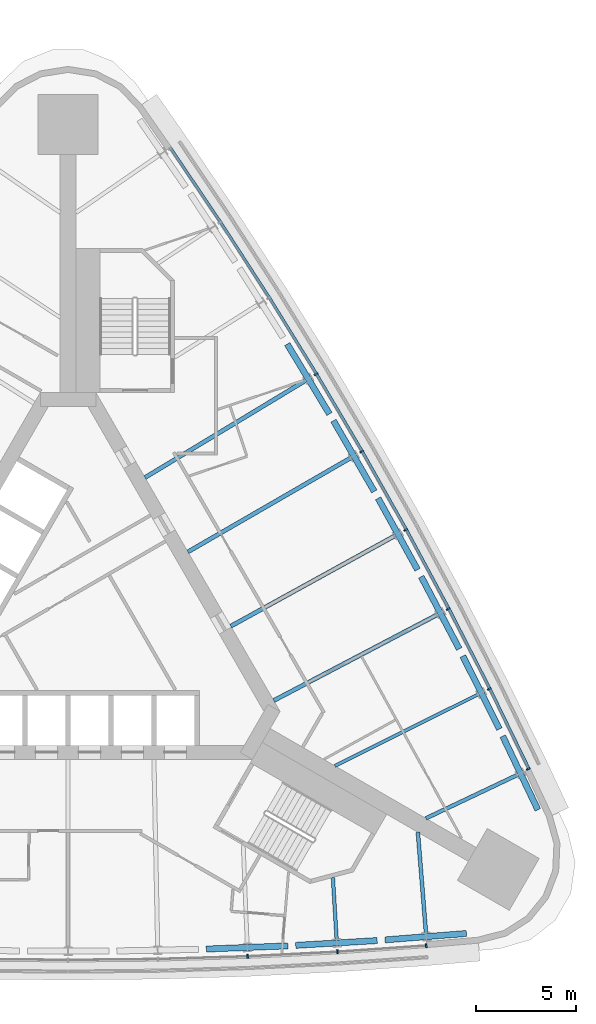
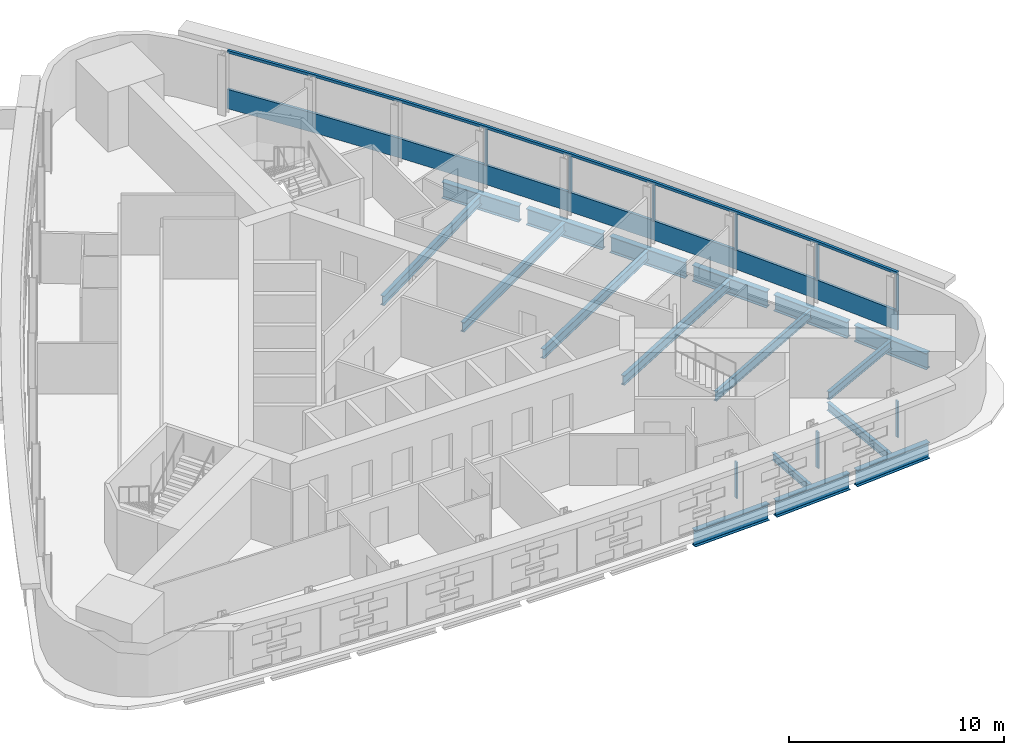
# One storey, part 4 of 12: 17 beams, 11 members, 2 elements without a shape of their own.
"""IFC4 building model written with IfcOpenShell, lengths in metres."""

from ifc_helpers import new_model, si_unit, direction, frame, origin, origin_2d, place, context, subcontext, project, spatial, polyline, rectangle, i_section, outline, extrude, material, material_profile, profile_set, type_object, element, aggregate, save


model = new_model("IFC4")

# Units and contexts
model_context = context("Model", 3, precision=1e-05, world=origin(), true_north=direction((0.0, 1.0)))
body_context = subcontext(model_context, "Body", "Model", "MODEL_VIEW")
ifc_project = project(units=[si_unit("LENGTHUNIT", "METRE"), si_unit("AREAUNIT", "SQUARE_METRE"), si_unit("VOLUMEUNIT", "CUBIC_METRE"), si_unit("PLANEANGLEUNIT", "RADIAN"), si_unit("MASSUNIT", "GRAM", prefix="KILO")], contexts=[model_context])

# Site, building, storey
site_placement = place(None, origin())
site = spatial("IfcSite", under=ifc_project, at=site_placement, CompositionType="ELEMENT")
building_placement = place(site_placement, origin())
building = spatial("IfcBuilding", under=site, at=building_placement, Name="Noor Cloister Tower", CompositionType="ELEMENT")
storey_placement = place(building_placement, frame((0.0, 0.0, 105.89990234375)))
storey = spatial("IfcBuildingStorey", under=building, at=storey_placement, Name="L27", CompositionType="ELEMENT", Elevation=105.89990234375)

# Curtain wall, member
ifc_material_1 = material(Name="Aluminium 6063-T6 anodised", Category="aluminium")
curtain_wall_type = type_object("IfcCurtainWallType", Name="Ribbon curtain wall, lower tower CW1", PredefinedType="NOTDEFINED", material=ifc_material_1)
curtain_wall_1_placement = place(storey_placement, origin())
curtain_wall_1 = element("IfcCurtainWall", 1, at=curtain_wall_1_placement, inside=storey, type_object=curtain_wall_type, Name="CW1 L27 NE run 3", PredefinedType="NOTDEFINED")
ifc_material_2 = material(Name="Aluminium 6063-T6 anodised", Category="aluminium")
member_type_1 = type_object("IfcMemberType", Name="Head transom CW1 150", PredefinedType="USERDEFINED", material=ifc_material_2)
member_1_placement = place(storey_placement, frame((0.0, 0.0, 3.150146484375)))
member_1 = element("IfcMember", 2, at=member_1_placement, type_object=member_type_1, Name="CW1 head transom", ObjectType="TRANSOM", PredefinedType="USERDEFINED", context=body_context, shape_type="SweptSolid", body=[
    extrude(outline(polyline([(23.151611328125, -7.395751953125), (21.180908203125, -3.350341796875), (19.129150390625, 0.65478515625), (16.99755859375, 4.617919921875), (14.786865234375, 8.537353515625), (12.498046875, 12.41162109375), (10.131591796875, 16.239013671875), (7.68896484375, 20.018310546875), (5.1708984375, 23.747802734375), (5.054931640625, 23.66943359375), (7.572265625, 19.941162109375), (10.013427734375, 16.164306640625), (12.378173828125, 12.339111328125), (14.665771484375, 8.46728515625), (16.875, 4.55029296875), (19.00537109375, 0.589599609375), (21.0556640625, -3.412841796875), (23.02587890625, -7.45703125), (23.151611328125, -7.395751953125)])), origin(), (0.0, 0.0, 1.0), 0.14990234375),
])

# Curtain wall, members
curtain_wall_2_placement = place(storey_placement, origin())
curtain_wall_2 = element("IfcCurtainWall", 3, at=curtain_wall_2_placement, inside=storey, type_object=curtain_wall_type, Name="CW1 L27 S run 2", PredefinedType="NOTDEFINED")
ifc_material_3 = material(Name="Aluminium 6063-T6 anodised", Category="aluminium")
ifc_material_profile_1 = material_profile(ifc_material_3, rectangle(XDim=0.199951171875, YDim=0.080078125, at=origin_2d()), Name="200 x 80 mullion")
ifc_profile_set_1 = profile_set([ifc_material_profile_1], Name="Aluminium 6063-T6 anodised")
member_type_2 = type_object("IfcMemberType", Name="Mullion CW1 80 x 200", PredefinedType="MULLION", material=ifc_profile_set_1)
member_2_placement = place(storey_placement, frame((8.99365234375, -16.7939453125, 1.10009765625), z_axis=(0.0, 0.0, 1.0), x_axis=(-0.04014673795, 0.999193794733, 0.0)))
member_2 = element("IfcMember", 4, at=member_2_placement, type_object=member_type_2, Name="CW1 mullion 7", PredefinedType="MULLION", context=body_context, shape_type="SweptSolid", body=[
    extrude(rectangle(XDim=0.199951171875, YDim=0.080078125, at=origin_2d()), origin(), (0.0, 0.0, 1.0), 2.050048828125),
])
member_3_placement = place(storey_placement, frame((13.48583984375, -16.568115234375, 1.10009765625), z_axis=(0.0, 0.0, 1.0), x_axis=(-0.06019986629, 0.998186343374, 0.0)))
member_3 = element("IfcMember", 5, at=member_3_placement, type_object=member_type_2, Name="CW1 mullion 8", PredefinedType="MULLION", context=body_context, shape_type="SweptSolid", body=[
    extrude(rectangle(XDim=0.199951171875, YDim=0.080078125, at=origin_2d()), origin(), (0.0, 0.0, 1.0), 2.050048828125),
])
member_4_placement = place(storey_placement, frame((17.933837890625, -16.255126953125, 1.10009765625), z_axis=(0.0, 0.0, 1.0), x_axis=(-0.070217834452, 0.997531681565, 0.0)))
member_4 = element("IfcMember", 6, at=member_4_placement, type_object=member_type_2, Name="CW1 mullion 9", PredefinedType="MULLION", context=body_context, shape_type="SweptSolid", body=[
    extrude(rectangle(XDim=0.199951171875, YDim=0.080078125, at=origin_2d()), origin(), (0.0, 0.0, 1.0), 2.050048828125),
])
aggregate(curtain_wall_2, [member_2, member_3, member_4])

# Member
member_5_placement = place(storey_placement, frame((23.044189453125, -7.403564453125, 1.10009765625), z_axis=(0.0, 0.0, 1.0), x_axis=(-0.89899669454, -0.437955412348, 0.0)))
member_5 = element("IfcMember", 7, at=member_5_placement, type_object=member_type_2, Name="CW1 mullion 1", PredefinedType="MULLION", context=body_context, shape_type="SweptSolid", body=[
    extrude(rectangle(XDim=0.199951171875, YDim=0.080078125, at=origin_2d()), origin(), (0.0, 0.0, 1.0), 2.050048828125),
])

member_6_placement = place(storey_placement, frame((21.09130859375, -3.39501953125, 1.10009765625), z_axis=(0.0, 0.0, 1.0), x_axis=(-0.894554664218, -0.446958558176, 0.0)))
member_6 = element("IfcMember", 8, at=member_6_placement, type_object=member_type_2, Name="CW1 mullion 2", PredefinedType="MULLION", context=body_context, shape_type="SweptSolid", body=[
    extrude(rectangle(XDim=0.199951171875, YDim=0.080078125, at=origin_2d()), origin(), (0.0, 0.0, 1.0), 2.050048828125),
])

member_7_placement = place(storey_placement, frame((19.040771484375, 0.6083984375, 1.10009765625), z_axis=(0.0, 0.0, 1.0), x_axis=(-0.885400578517, -0.464828802423, 0.0)))
member_7 = element("IfcMember", 9, at=member_7_placement, type_object=member_type_2, Name="CW1 mullion 3", PredefinedType="MULLION", context=body_context, shape_type="SweptSolid", body=[
    extrude(rectangle(XDim=0.199951171875, YDim=0.080078125, at=origin_2d()), origin(), (0.0, 0.0, 1.0), 2.050048828125),
])

member_8_placement = place(storey_placement, frame((16.91015625, 4.569580078125, 1.10009765625), z_axis=(0.0, 0.0, 1.0), x_axis=(-0.875889541426, -0.482511669518, 0.0)))
member_8 = element("IfcMember", 10, at=member_8_placement, type_object=member_type_2, Name="CW1 mullion 4", PredefinedType="MULLION", context=body_context, shape_type="SweptSolid", body=[
    extrude(rectangle(XDim=0.199951171875, YDim=0.080078125, at=origin_2d()), origin(), (0.0, 0.0, 1.0), 2.050048828125),
])

member_9_placement = place(storey_placement, frame((14.700439453125, 8.4873046875, 1.10009765625), z_axis=(0.0, 0.0, 1.0), x_axis=(-0.866025403784, -0.5, 0.0)))
member_9 = element("IfcMember", 11, at=member_9_placement, type_object=member_type_2, Name="CW1 mullion 5", PredefinedType="MULLION", context=body_context, shape_type="SweptSolid", body=[
    extrude(rectangle(XDim=0.199951171875, YDim=0.080078125, at=origin_2d()), origin(), (0.0, 0.0, 1.0), 2.050048828125),
])

member_10_placement = place(storey_placement, frame((12.412353515625, 12.35986328125, 1.10009765625), z_axis=(0.0, 0.0, 1.0), x_axis=(-0.855812134138, -0.517286759025, 0.0)))
member_10 = element("IfcMember", 12, at=member_10_placement, type_object=member_type_2, Name="CW1 mullion 6", PredefinedType="MULLION", context=body_context, shape_type="SweptSolid", body=[
    extrude(rectangle(XDim=0.199951171875, YDim=0.080078125, at=origin_2d()), origin(), (0.0, 0.0, 1.0), 2.050048828125),
])

# Beams
ifc_material_4 = material(Name="Steel ASTM A992 Gr 50", Category="steel")
ifc_material_profile_2 = material_profile(ifc_material_4, i_section(OverallWidth=0.177978515625, OverallDepth=0.406005859375, WebThickness=0.0078125, FlangeThickness=0.0126953125, FilletRadius=0.01025390625, at=origin_2d()), Name="W410x60")
ifc_profile_set_2 = profile_set([ifc_material_profile_2], Name="Steel ASTM A992 Gr 50")
beam_type_1 = type_object("IfcBeamType", Name="Radial beam W410x60", PredefinedType="BEAM", material=ifc_profile_set_2)
beam_1_placement = place(storey_placement, frame((13.449462890625, -15.966796875, -0.40283203125), z_axis=(-0.060146918606, 0.9981895352, 0.0), x_axis=(-0.9981895352, -0.060146918606, 0.0)))
element("IfcBeam", 13, at=beam_1_placement, inside=storey, type_object=beam_type_1, Name="Radial beam S 08 L27", PredefinedType="BEAM", context=body_context, shape_type="SweptSolid", body=[
    extrude(i_section(OverallWidth=0.177978515625, OverallDepth=0.406005859375, WebThickness=0.0078125, FlangeThickness=0.0126953125, FilletRadius=0.01025390625, at=origin_2d()), origin(), (0.0, 0.0, 1.0), 3.133544921875),
])
ifc_material_5 = material(Name="Steel ASTM A992 Gr 50", Category="steel")
ifc_material_profile_3 = material_profile(ifc_material_5, i_section(OverallWidth=0.19091796875, OverallDepth=0.45703125, WebThickness=0.009033203125, FlangeThickness=0.014404296875, FilletRadius=0.01025390625, at=origin_2d()), Name="W460x74")
ifc_profile_set_3 = profile_set([ifc_material_profile_3], Name="Steel ASTM A992 Gr 50")
beam_type_2 = type_object("IfcBeamType", Name="Radial beam W460x74", PredefinedType="BEAM", material=ifc_profile_set_3)
beam_2_placement = place(storey_placement, frame((17.92431640625, -15.65185546875, -0.428466796875), z_axis=(-0.080232883001, 0.996776145624, 0.0), x_axis=(-0.996776145624, -0.080232883001, 0.0)))
element("IfcBeam", 14, at=beam_2_placement, inside=storey, type_object=beam_type_2, Name="Radial beam S 09 L27", PredefinedType="BEAM", context=body_context, shape_type="SweptSolid", body=[
    extrude(i_section(OverallWidth=0.19091796875, OverallDepth=0.45703125, WebThickness=0.009033203125, FlangeThickness=0.014404296875, FilletRadius=0.01025390625, at=origin_2d()), origin(), (0.0, 0.0, 1.0), 5.09375),
])
beam_3_placement = place(storey_placement, frame((22.51708984375, -7.697021484375, -0.428466796875), z_axis=(-0.903348076648, -0.428908209779, 0.0), x_axis=(0.428908209779, -0.903348076648, 0.0)))
element("IfcBeam", 15, at=beam_3_placement, inside=storey, type_object=beam_type_2, Name="Radial beam NE 01 L27", PredefinedType="BEAM", context=body_context, shape_type="SweptSolid", body=[
    extrude(i_section(OverallWidth=0.19091796875, OverallDepth=0.45703125, WebThickness=0.009033203125, FlangeThickness=0.014404296875, FilletRadius=0.01025390625, at=origin_2d()), origin(), (0.0, 0.0, 1.0), 5.093994140625),
])
ifc_material_6 = material(Name="Steel ASTM A992 Gr 50", Category="steel")
ifc_material_profile_4 = material_profile(ifc_material_6, i_section(OverallWidth=0.166015625, OverallDepth=0.528076171875, WebThickness=0.009765625, FlangeThickness=0.013671875, FilletRadius=0.0126953125, at=origin_2d()), Name="W530x74")
ifc_profile_set_4 = profile_set([ifc_material_profile_4], Name="Steel ASTM A992 Gr 50")
beam_type_3 = type_object("IfcBeamType", Name="Radial beam W530x74", PredefinedType="BEAM", material=ifc_profile_set_4)
beam_4_placement = place(storey_placement, frame((20.552490234375, -3.664306640625, -0.4638671875), z_axis=(-0.894560867143, -0.446946143262, 0.0), x_axis=(0.446946143262, -0.894560867143, 0.0)))
element("IfcBeam", 16, at=beam_4_placement, inside=storey, type_object=beam_type_3, Name="Radial beam NE 02 L27", PredefinedType="BEAM", context=body_context, shape_type="SweptSolid", body=[
    extrude(i_section(OverallWidth=0.166015625, OverallDepth=0.528076171875, WebThickness=0.009765625, FlangeThickness=0.013671875, FilletRadius=0.0126953125, at=origin_2d()), origin(), (0.0, 0.0, 1.0), 8.03369140625),
])
ifc_material_7 = material(Name="Steel ASTM A992 Gr 50", Category="steel")
ifc_material_profile_5 = material_profile(ifc_material_7, i_section(OverallWidth=0.208984375, OverallDepth=0.532958984375, WebThickness=0.01025390625, FlangeThickness=0.015625, FilletRadius=0.0126953125, at=origin_2d()), Name="W530x92")
ifc_profile_set_5 = profile_set([ifc_material_profile_5], Name="Steel ASTM A992 Gr 50")
beam_type_4 = type_object("IfcBeamType", Name="Radial beam W530x92", PredefinedType="BEAM", material=ifc_profile_set_5)
beam_5_placement = place(storey_placement, frame((18.50732421875, 0.328125, -0.46630859375), z_axis=(-0.885409553272, -0.46481170701, 0.0), x_axis=(0.46481170701, -0.885409553272, 0.0)))
element("IfcBeam", 17, at=beam_5_placement, inside=storey, type_object=beam_type_4, Name="Radial beam NE 03 L27", PredefinedType="BEAM", context=body_context, shape_type="SweptSolid", body=[
    extrude(i_section(OverallWidth=0.208984375, OverallDepth=0.532958984375, WebThickness=0.01025390625, FlangeThickness=0.015625, FilletRadius=0.0126953125, at=origin_2d()), origin(), (0.0, 0.0, 1.0), 9.271240234375),
])
beam_6_placement = place(storey_placement, frame((16.38232421875, 4.27880859375, -0.46630859375), z_axis=(-0.875890002273, -0.482510832955, 0.0), x_axis=(0.482510832955, -0.875890002273, 0.0)))
element("IfcBeam", 18, at=beam_6_placement, inside=storey, type_object=beam_type_4, Name="Radial beam NE 04 L27", PredefinedType="BEAM", context=body_context, shape_type="SweptSolid", body=[
    extrude(i_section(OverallWidth=0.208984375, OverallDepth=0.532958984375, WebThickness=0.01025390625, FlangeThickness=0.015625, FilletRadius=0.0126953125, at=origin_2d()), origin(), (0.0, 0.0, 1.0), 9.400634765625),
])
beam_7_placement = place(storey_placement, frame((14.178466796875, 8.18603515625, -0.46630859375), z_axis=(-0.866021560388, -0.500006656899, 0.0), x_axis=(0.500006656899, -0.866021560388, 0.0)))
element("IfcBeam", 19, at=beam_7_placement, inside=storey, type_object=beam_type_4, Name="Radial beam NE 05 L27", PredefinedType="BEAM", context=body_context, shape_type="SweptSolid", body=[
    extrude(i_section(OverallWidth=0.208984375, OverallDepth=0.532958984375, WebThickness=0.01025390625, FlangeThickness=0.015625, FilletRadius=0.0126953125, at=origin_2d()), origin(), (0.0, 0.0, 1.0), 9.443603515625),
])
beam_8_placement = place(storey_placement, frame((11.896728515625, 12.048095703125, -0.46630859375), z_axis=(-0.855813269099, -0.517284881313, 0.0), x_axis=(0.517284881313, -0.855813269099, 0.0)))
element("IfcBeam", 20, at=beam_8_placement, inside=storey, type_object=beam_type_4, Name="Radial beam NE 06 L27", PredefinedType="BEAM", context=body_context, shape_type="SweptSolid", body=[
    extrude(i_section(OverallWidth=0.208984375, OverallDepth=0.532958984375, WebThickness=0.01025390625, FlangeThickness=0.015625, FilletRadius=0.0126953125, at=origin_2d()), origin(), (0.0, 0.0, 1.0), 9.400634765625),
])

# Member
ifc_material_8 = material(Name="Aluminium 6063-T6 anodised", Category="aluminium")
member_type_3 = type_object("IfcMemberType", Name="Sill transom CW1 1100", PredefinedType="USERDEFINED", material=ifc_material_8)
member_11_placement = place(storey_placement, origin())
member_11 = element("IfcMember", 21, at=member_11_placement, type_object=member_type_3, Name="CW1 sill transom", ObjectType="TRANSOM", PredefinedType="USERDEFINED", context=body_context, shape_type="SweptSolid", body=[
    extrude(outline(polyline([(23.151611328125, -7.395751953125), (21.180908203125, -3.350341796875), (19.129150390625, 0.65478515625), (16.99755859375, 4.617919921875), (14.786865234375, 8.537353515625), (12.498046875, 12.41162109375), (10.131591796875, 16.239013671875), (7.68896484375, 20.018310546875), (5.1708984375, 23.747802734375), (5.054931640625, 23.66943359375), (7.572265625, 19.941162109375), (10.013427734375, 16.164306640625), (12.378173828125, 12.339111328125), (14.665771484375, 8.46728515625), (16.875, 4.55029296875), (19.00537109375, 0.589599609375), (21.0556640625, -3.412841796875), (23.02587890625, -7.45703125), (23.151611328125, -7.395751953125)])), origin(), (0.0, 0.0, 1.0), 1.10009765625),
])

aggregate(curtain_wall_1, [member_5, member_6, member_7, member_8, member_9, member_10, member_11, member_1])

# Beams
ifc_material_9 = material(Name="Steel ASTM A992 Gr 50", Category="steel")
ifc_material_profile_6 = material_profile(ifc_material_9, i_section(OverallWidth=0.304931640625, OverallDepth=0.9189453125, WebThickness=0.017333984375, FlangeThickness=0.02783203125, FilletRadius=0.01904296875, at=origin_2d()), Name="W920x253")
ifc_profile_set_6 = profile_set([ifc_material_profile_6], Name="Steel ASTM A992 Gr 50")
beam_type_5 = type_object("IfcBeamType", Name="Transfer girder W920x253", PredefinedType="BEAM", material=ifc_profile_set_6)
for number, where, z_axis, x_axis, name in (
    (22, (6.91943359375, -16.42529296875, -0.659423828125), (0.999225288123, 0.039355095916, 0.0), (-0.039355095916, 0.999225288123, 0.0), "Transfer girder S 07 L27"),
    (23, (11.39794921875, -16.240966796875, -0.659423828125), (0.998254340614, 0.059061590265, 0.0), (-0.059061590265, 0.998254340614, 0.0), "Transfer girder S 08 L27"),
    (24, (15.87158203125, -15.966796875, -0.659423828125), (0.996902216322, 0.078650944641, 0.0), (-0.078650944641, 0.996902216322, 0.0), "Transfer girder S 09 L27"),
    (25, (23.522705078125, -9.4521484375, -0.659423828125), (-0.430341530423, 0.902666143817, 0.0), (-0.902666143817, -0.430341530423, 0.0), "Transfer girder NE 01 L27"),
    (26, (21.595458984375, -5.4052734375, -0.659423828125), (-0.448025614309, 0.894020720634, 0.0), (-0.894020720634, -0.448025614309, 0.0), "Transfer girder NE 02 L27"),
    (27, (19.587646484375, -1.39794921875, -0.659423828125), (-0.465559367348, 0.885016652654, 0.0), (-0.885016652654, -0.465559367348, 0.0), "Transfer girder NE 03 L27"),
    (28, (17.499755859375, 2.568359375, -0.659423828125), (-0.48289735558, 0.875676963254, 0.0), (-0.875676963254, -0.48289735558, 0.0), "Transfer girder NE 04 L27"),
):
    element("IfcBeam", number, at=place(storey_placement, frame(where, z_axis=z_axis, x_axis=x_axis)), inside=storey, type_object=beam_type_5, Name=name, PredefinedType="BEAM", context=body_context, shape_type="SweptSolid", body=[
        extrude(i_section(OverallWidth=0.304931640625, OverallDepth=0.9189453125, WebThickness=0.017333984375, FlangeThickness=0.02783203125, FilletRadius=0.01904296875, at=origin_2d()), origin(), (0.0, 0.0, 1.0), 4.088134765625),
    ])
beam_9_placement = place(storey_placement, frame((15.332763671875, 6.491943359375, -0.659423828125), z_axis=(-0.500011931275, 0.86601851515, 0.0), x_axis=(-0.86601851515, -0.500011931275, 0.0)))
element("IfcBeam", 29, at=beam_9_placement, inside=storey, type_object=beam_type_5, Name="Transfer girder NE 05 L27", PredefinedType="BEAM", context=body_context, shape_type="SweptSolid", body=[
    extrude(i_section(OverallWidth=0.304931640625, OverallDepth=0.9189453125, WebThickness=0.017333984375, FlangeThickness=0.02783203125, FilletRadius=0.01904296875, at=origin_2d()), origin(), (0.0, 0.0, 1.0), 4.08837890625),
])
beam_10_placement = place(storey_placement, frame((13.08740234375, 10.37158203125, -0.659423828125), z_axis=(-0.516935158604, 0.856024556773, 0.0), x_axis=(-0.856024556773, -0.516935158604, 0.0)))
element("IfcBeam", 30, at=beam_10_placement, inside=storey, type_object=beam_type_5, Name="Transfer girder NE 06 L27", PredefinedType="BEAM", context=body_context, shape_type="SweptSolid", body=[
    extrude(i_section(OverallWidth=0.304931640625, OverallDepth=0.9189453125, WebThickness=0.017333984375, FlangeThickness=0.02783203125, FilletRadius=0.01904296875, at=origin_2d()), origin(), (0.0, 0.0, 1.0), 4.088134765625),
])

save(model, "model.ifc")
